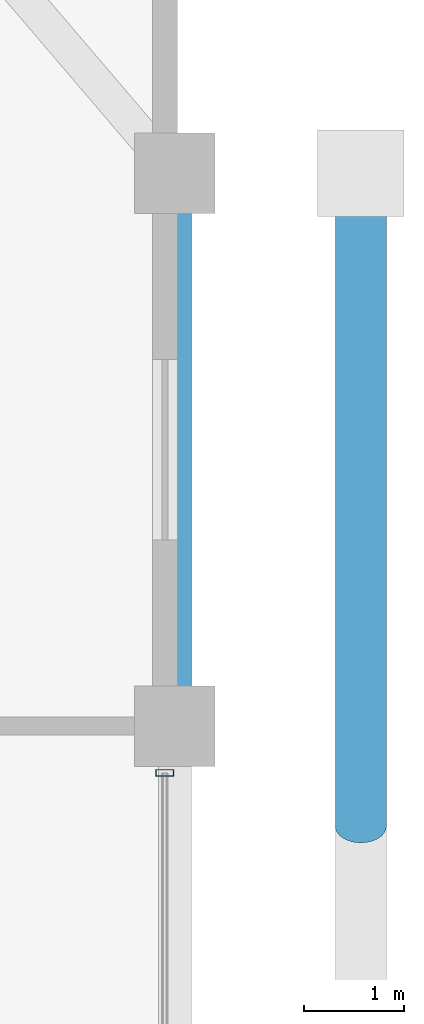
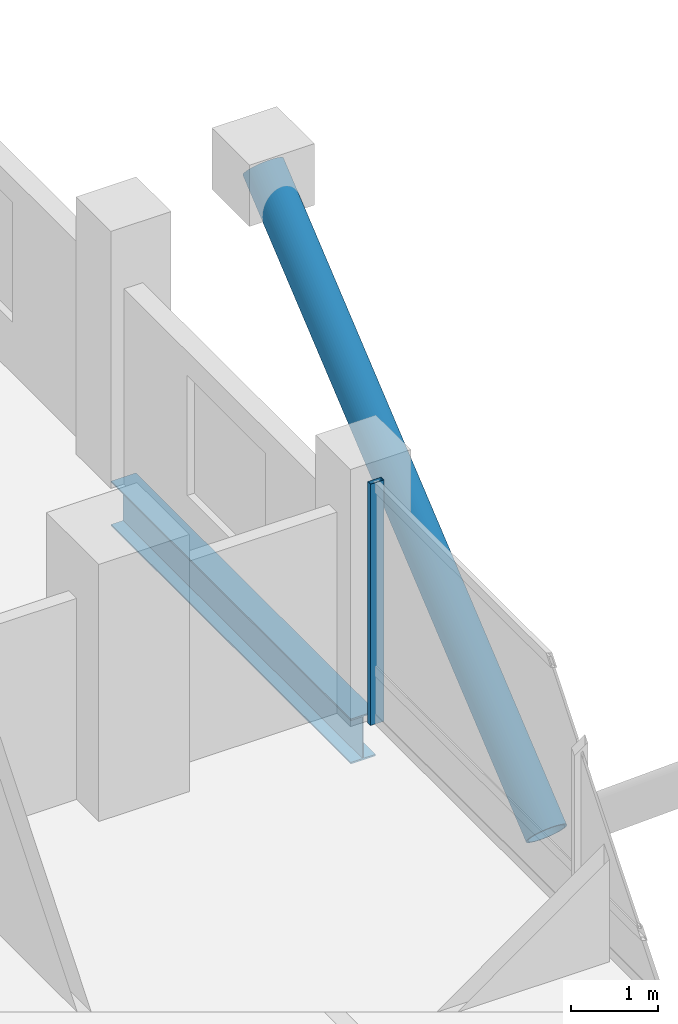
# One storey, part 15 of 22: 2 members, 1 beam, 1 element without a shape of its own.
"""IFC4 building model written with IfcOpenShell, lengths in metres."""

from ifc_helpers import new_model, si_unit, direction, frame, origin, origin_2d, place, context, subcontext, project, spatial, hollow_rectangle, hollow_circle, i_section, extrude, material, layer, layer_set, material_profile, profile_set, type_object, element, aggregate, save


model = new_model("IFC4")

# Units and contexts
model_context = context("Model", 3, precision=1e-05, world=origin(), true_north=direction((0.0, 1.0)))
body_context = subcontext(model_context, "Body", "Model", "MODEL_VIEW")
ifc_project = project(units=[si_unit("LENGTHUNIT", "METRE"), si_unit("AREAUNIT", "SQUARE_METRE"), si_unit("VOLUMEUNIT", "CUBIC_METRE"), si_unit("PLANEANGLEUNIT", "RADIAN"), si_unit("MASSUNIT", "GRAM", prefix="KILO")], contexts=[model_context])

# Site, building, storey
site_placement = place(None, origin())
site = spatial("IfcSite", under=ifc_project, at=site_placement, CompositionType="ELEMENT")
building_placement = place(site_placement, origin())
building = spatial("IfcBuilding", under=site, at=building_placement, Name="Barlavira Tower and Art Museum", CompositionType="ELEMENT")
storey_placement = place(building_placement, frame((0.0, 0.0, 106.199951171875)))
storey = spatial("IfcBuildingStorey", under=building, at=storey_placement, Name="L26", CompositionType="ELEMENT", Elevation=106.199951171875)

# Curtain wall, member
ifc_material_1 = material(Name="Low-iron coastal laminated glass", Category="glass")
ifc_layer = layer(ifc_material_1, 0.18994140625, Name="Low-iron coastal laminated glass")
ifc_layer_set = layer_set([ifc_layer], Name="Low-iron coastal laminated glass")
curtain_wall_type = type_object("IfcCurtainWallType", Name="Pale-Metal Unitised Curtain Wall Zone 2", PredefinedType="NOTDEFINED", material=ifc_layer_set)
curtain_wall_placement = place(storey_placement, origin())
curtain_wall = element("IfcCurtainWall", 1, at=curtain_wall_placement, inside=storey, type_object=curtain_wall_type, Name="L26 Curtain Wall CW2-L26-E-B3", PredefinedType="NOTDEFINED")
ifc_material_2 = material(Name="Pale anodised aluminium", Category="aluminium")
ifc_material_profile_1 = material_profile(ifc_material_2, hollow_rectangle(XDim=0.06494140625, YDim=0.179931640625, WallThickness=0.00390625, at=origin_2d()), Name="ALU-MULL 65x180x4")
ifc_profile_set_1 = profile_set([ifc_material_profile_1], Name="Pale anodised aluminium")
member_type_1 = type_object("IfcMemberType", Name="Curtain Wall Pale-Metal Mullion 65x180", PredefinedType="MULLION", material=ifc_profile_set_1)
member_1_placement = place(storey_placement, frame((20.14990234375, 7.034912109375, 0.0), z_axis=(0.0, 0.0, 1.0), x_axis=(0.0, 1.0, 0.0)))
member_1 = element("IfcMember", 2, at=member_1_placement, type_object=member_type_1, Name="CW2-L26-E-B3 Mullion 3", PredefinedType="MULLION", context=body_context, shape_type="SweptSolid", body=[
    extrude(hollow_rectangle(XDim=0.06494140625, YDim=0.179931640625, WallThickness=0.00390625, at=origin_2d()), origin(), (0.0, 0.0, 1.0), 3.380126953125),
])
aggregate(curtain_wall, [member_1])

# Member
ifc_material_3 = material(Name="Steel S355", Category="steel")
ifc_material_profile_2 = material_profile(ifc_material_3, hollow_circle(Radius=0.25390625, WallThickness=0.022216796875, at=origin_2d()), Name="CHS 508.0x22.2")
ifc_profile_set_2 = profile_set([ifc_material_profile_2], Name="Steel S355")
member_type_2 = type_object("IfcMemberType", Name="Pale-Metal Exoskeleton Diagrid Tube CHS 508x22 Steel S355", PredefinedType="BRACE", material=ifc_profile_set_2)
member_2_placement = place(storey_placement, frame((22.10009765625, 6.5, -1.919921875), z_axis=(0.0, 0.769196053329, 0.639012857104), x_axis=(-1.0, 0.0, 0.0)))
element("IfcMember", 3, at=member_2_placement, inside=storey, type_object=member_type_2, Name="L26 Exoskeleton Diagrid Tube E", PredefinedType="BRACE", context=body_context, shape_type="SweptSolid", body=[
    extrude(hollow_circle(Radius=0.25390625, WallThickness=0.022216796875, at=origin_2d()), origin(), (0.0, 0.0, 1.0), 8.450439453125),
])

# Beam
ifc_material_profile_3 = material_profile(ifc_material_3, i_section(OverallWidth=0.327880859375, OverallDepth=0.62890625, WebThickness=0.013916015625, FlangeThickness=0.021484375, at=origin_2d()), Name="W610x174.0")
ifc_profile_set_3 = profile_set([ifc_material_profile_3], Name="Steel S355")
beam_type = type_object("IfcBeamType", Name="Perimeter Spandrel Edge Beam W610x174 Steel S355", PredefinedType="SPANDREL", material=ifc_profile_set_3)
beam_placement = place(storey_placement, frame((20.25, 7.5, -0.534423828125), z_axis=(0.0, 1.0, 0.0), x_axis=(-1.0, 0.0, 0.0)))
element("IfcBeam", 4, at=beam_placement, inside=storey, type_object=beam_type, Name="L26 Spandrel 7", PredefinedType="SPANDREL", context=body_context, shape_type="SweptSolid", body=[
    extrude(i_section(OverallWidth=0.327880859375, OverallDepth=0.62890625, WebThickness=0.013916015625, FlangeThickness=0.021484375, at=origin_2d()), origin(), (0.0, 0.0, 1.0), 5.5),
])

save(model, "model.ifc")
